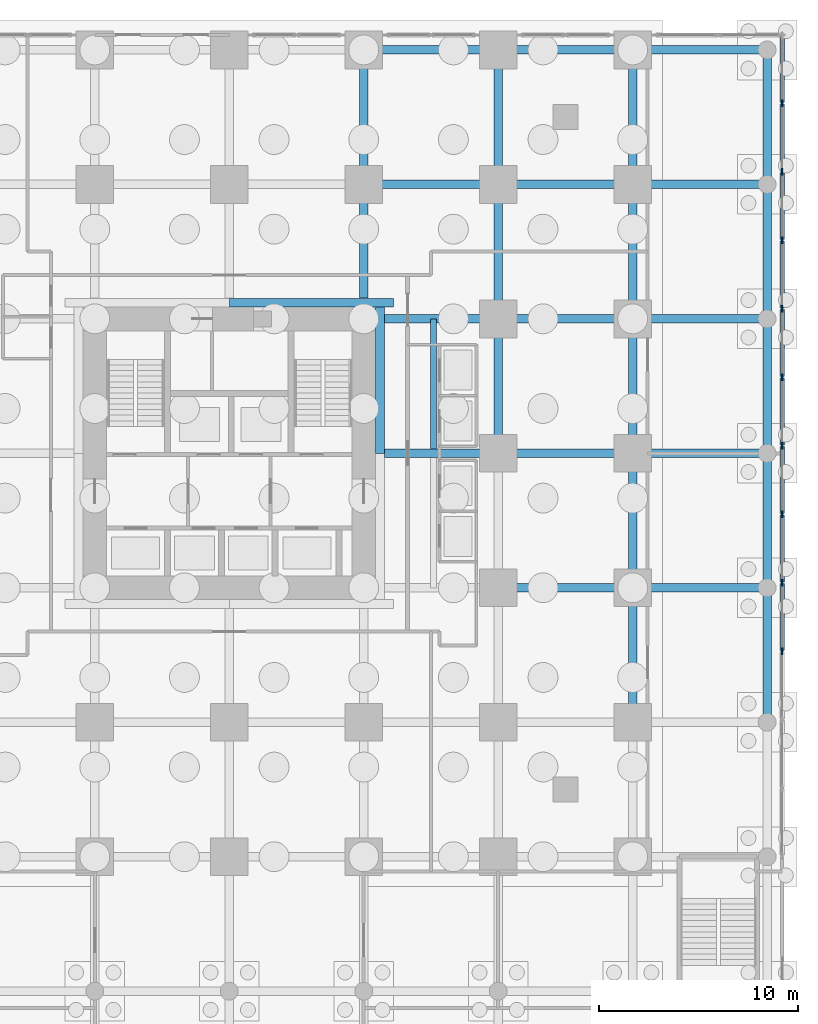
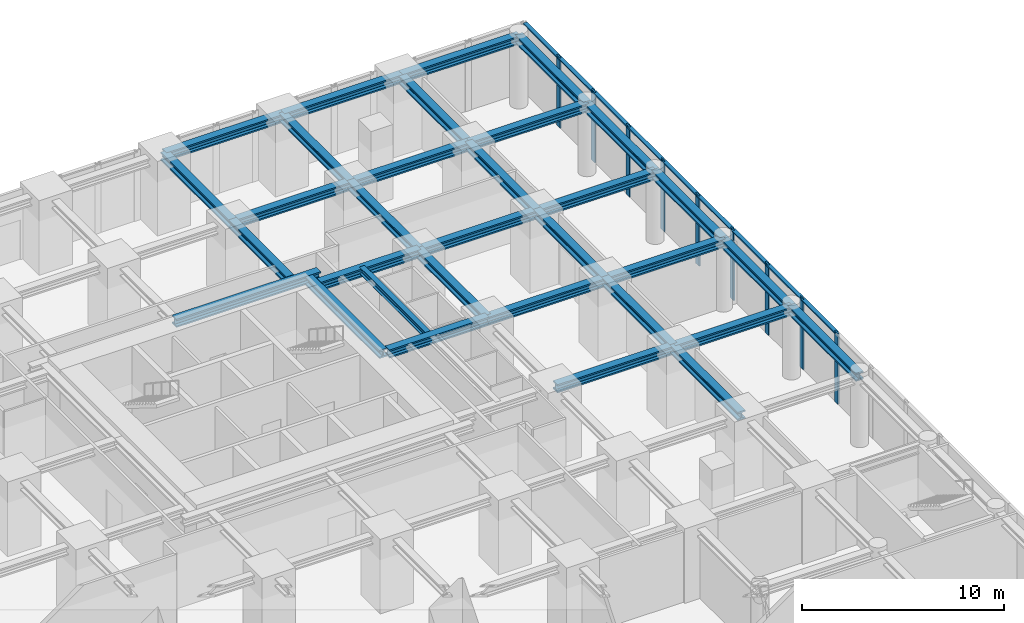
# One storey, part 6 of 14: 32 beams, 18 members, 1 element without a shape of its own.
"""IFC4 building model written with IfcOpenShell, lengths in metres."""

from ifc_helpers import new_model, si_unit, direction, frame, origin, origin_2d, place, context, subcontext, project, spatial, rectangle, i_section, extrude, material, material_profile, profile_set, type_object, element, aggregate, save


model = new_model("IFC4")

# Units and contexts
model_context = context("Model", 3, precision=1e-05, world=origin(), true_north=direction((0.0, 1.0)))
body_context = subcontext(model_context, "Body", "Model", "MODEL_VIEW")
ifc_project = project(units=[si_unit("LENGTHUNIT", "METRE"), si_unit("AREAUNIT", "SQUARE_METRE"), si_unit("VOLUMEUNIT", "CUBIC_METRE"), si_unit("PLANEANGLEUNIT", "RADIAN"), si_unit("MASSUNIT", "GRAM", prefix="KILO")], contexts=[model_context])

# Site, building, storey
site_placement = place(None, origin())
site = spatial("IfcSite", under=ifc_project, at=site_placement, CompositionType="ELEMENT")
building_placement = place(site_placement, origin())
building = spatial("IfcBuilding", under=site, at=building_placement, Name="Nyansa Garden Tower", CompositionType="ELEMENT")
storey_placement = place(building_placement, origin())
storey = spatial("IfcBuildingStorey", under=building, at=storey_placement, Name="L00", CompositionType="ELEMENT", Elevation=0.0)

# Curtain wall, members
ifc_material_1 = material(Name="Black anodised aluminium, clear double glazing", Category="aluminium")
curtain_wall_type = type_object("IfcCurtainWallType", Name="Podium curtain wall PCW", PredefinedType="USERDEFINED", material=ifc_material_1)
curtain_wall_placement = place(storey_placement, origin())
curtain_wall = element("IfcCurtainWall", 1, at=curtain_wall_placement, inside=storey, type_object=curtain_wall_type, Name="Podium curtain wall L00 E", ObjectType="STICK CURTAIN WALL", PredefinedType="USERDEFINED")
ifc_material_2 = material(Name="Black anodised aluminium", Category="aluminium")
ifc_material_profile_1 = material_profile(ifc_material_2, rectangle(XDim=0.080078125, YDim=0.35009765625, at=origin_2d()), Name="Mullion 350x80")
ifc_profile_set_1 = profile_set([ifc_material_profile_1], Name="Black anodised aluminium")
member_type_1 = type_object("IfcMemberType", Name="Mullion PCW 350x80", PredefinedType="MULLION", material=ifc_profile_set_1)
member_1_placement = place(storey_placement, frame((48.0, 10.3125, 0.0), z_axis=(0.0, 0.0, 1.0), x_axis=(-1.0, 0.0, 0.0)))
member_1 = element("IfcMember", 2, at=member_1_placement, type_object=member_type_1, Name="PCW mullion 4", PredefinedType="MULLION", context=body_context, shape_type="SweptSolid", body=[
    extrude(rectangle(XDim=0.080078125, YDim=0.35009765625, at=origin_2d()), origin(), (0.0, 0.0, 1.0), 4.25),
])
member_2_placement = place(storey_placement, frame((48.0, 13.75, 0.0), z_axis=(0.0, 0.0, 1.0), x_axis=(-1.0, 0.0, 0.0)))
member_2 = element("IfcMember", 3, at=member_2_placement, type_object=member_type_1, Name="PCW mullion 5", PredefinedType="MULLION", context=body_context, shape_type="SweptSolid", body=[
    extrude(rectangle(XDim=0.080078125, YDim=0.35009765625, at=origin_2d()), origin(), (0.0, 0.0, 1.0), 4.25),
])
member_3_placement = place(storey_placement, frame((48.0, 17.1875, 0.0), z_axis=(0.0, 0.0, 1.0), x_axis=(-1.0, 0.0, 0.0)))
member_3 = element("IfcMember", 4, at=member_3_placement, type_object=member_type_1, Name="PCW mullion 6", PredefinedType="MULLION", context=body_context, shape_type="SweptSolid", body=[
    extrude(rectangle(XDim=0.080078125, YDim=0.35009765625, at=origin_2d()), origin(), (0.0, 0.0, 1.0), 4.25),
])
member_4_placement = place(storey_placement, frame((48.0, 20.625, 0.0), z_axis=(0.0, 0.0, 1.0), x_axis=(-1.0, 0.0, 0.0)))
member_4 = element("IfcMember", 5, at=member_4_placement, type_object=member_type_1, Name="PCW mullion 7", PredefinedType="MULLION", context=body_context, shape_type="SweptSolid", body=[
    extrude(rectangle(XDim=0.080078125, YDim=0.35009765625, at=origin_2d()), origin(), (0.0, 0.0, 1.0), 4.25),
])
member_5_placement = place(storey_placement, frame((48.0, 24.0625, 0.0), z_axis=(0.0, 0.0, 1.0), x_axis=(-1.0, 0.0, 0.0)))
member_5 = element("IfcMember", 6, at=member_5_placement, type_object=member_type_1, Name="PCW mullion 8", PredefinedType="MULLION", context=body_context, shape_type="SweptSolid", body=[
    extrude(rectangle(XDim=0.080078125, YDim=0.35009765625, at=origin_2d()), origin(), (0.0, 0.0, 1.0), 4.25),
])
member_6_placement = place(storey_placement, frame((48.0, 27.5, 0.0), z_axis=(0.0, 0.0, 1.0), x_axis=(-1.0, 0.0, 0.0)))
member_6 = element("IfcMember", 7, at=member_6_placement, type_object=member_type_1, Name="PCW mullion 9", PredefinedType="MULLION", context=body_context, shape_type="SweptSolid", body=[
    extrude(rectangle(XDim=0.080078125, YDim=0.35009765625, at=origin_2d()), origin(), (0.0, 0.0, 1.0), 4.25),
])
member_7_placement = place(storey_placement, frame((48.0, 30.9375, 0.0), z_axis=(0.0, 0.0, 1.0), x_axis=(-1.0, 0.0, 0.0)))
member_7 = element("IfcMember", 8, at=member_7_placement, type_object=member_type_1, Name="PCW mullion 10", PredefinedType="MULLION", context=body_context, shape_type="SweptSolid", body=[
    extrude(rectangle(XDim=0.080078125, YDim=0.35009765625, at=origin_2d()), origin(), (0.0, 0.0, 1.0), 4.25),
])
member_8_placement = place(storey_placement, frame((48.0, 34.375, 0.0), z_axis=(0.0, 0.0, 1.0), x_axis=(-1.0, 0.0, 0.0)))
member_8 = element("IfcMember", 9, at=member_8_placement, type_object=member_type_1, Name="PCW mullion 11", PredefinedType="MULLION", context=body_context, shape_type="SweptSolid", body=[
    extrude(rectangle(XDim=0.080078125, YDim=0.35009765625, at=origin_2d()), origin(), (0.0, 0.0, 1.0), 4.25),
])
member_9_placement = place(storey_placement, frame((48.0, 37.8125, 0.0), z_axis=(0.0, 0.0, 1.0), x_axis=(-1.0, 0.0, 0.0)))
member_9 = element("IfcMember", 10, at=member_9_placement, type_object=member_type_1, Name="PCW mullion 12", PredefinedType="MULLION", context=body_context, shape_type="SweptSolid", body=[
    extrude(rectangle(XDim=0.080078125, YDim=0.35009765625, at=origin_2d()), origin(), (0.0, 0.0, 1.0), 4.25),
])

# Beams
ifc_material_3 = material(Name="Steel S355", Category="steel")
ifc_material_profile_2 = material_profile(ifc_material_3, i_section(OverallWidth=0.431884765625, OverallDepth=0.498046875, WebThickness=0.0556640625, FlangeThickness=0.0888671875, FilletRadius=0.014892578125, at=origin_2d()), Name="HD 400x744")
ifc_profile_set_2 = profile_set([ifc_material_profile_2], Name="Steel S355")
beam_type_1 = type_object("IfcBeamType", Name="Steel beam SBP1-744 HD 400x744", PredefinedType="BEAM", material=ifc_profile_set_2)
for number, where, z_axis, x_axis, name in (
    (11, (28.050048828125, 20.25, 4.0009765625), (1.0, 0.0, 0.0), (0.0, 1.0, 0.0), "Steel beam 28.050/G-7/G L01"),
    (12, (27.0, 28.050048828125, 4.0009765625), (0.0, 1.0, 0.0), (-1.0, 0.0, 0.0), "Steel beam 6/28.050-6/J L01"),
    (13, (28.050048828125, 27.0, 4.0009765625), (1.0, 0.0, 0.0), (0.0, 1.0, 0.0), "Steel beam 28.050/H-7/H L01"),
):
    element("IfcBeam", number, at=place(storey_placement, frame(where, z_axis=z_axis, x_axis=x_axis)), inside=storey, type_object=beam_type_1, Name=name, PredefinedType="BEAM", context=body_context, shape_type="SweptSolid", body=[
        extrude(i_section(OverallWidth=0.431884765625, OverallDepth=0.498046875, WebThickness=0.0556640625, FlangeThickness=0.0888671875, FilletRadius=0.014892578125, at=origin_2d()), origin(), (0.0, 0.0, 1.0), 5.699951171875),
    ])
for number, where, z_axis, x_axis, name in (
    (14, (27.0, 33.75, 4.0009765625), (0.0, 1.0, 0.0), (-1.0, 0.0, 0.0), "Steel beam 6/J-6/K L01"),
    (15, (27.0, 33.75, 4.0009765625), (1.0, 0.0, 0.0), (0.0, 1.0, 0.0), "Steel beam 6/J-7/J L01"),
    (16, (33.75, 13.5, 4.0009765625), (1.0, 0.0, 0.0), (0.0, 1.0, 0.0), "Steel beam 7/F-8/F L01"),
    (17, (33.75, 20.25, 4.0009765625), (0.0, 1.0, 0.0), (-1.0, 0.0, 0.0), "Steel beam 7/G-7/H L01"),
    (18, (33.75, 20.25, 4.0009765625), (1.0, 0.0, 0.0), (0.0, 1.0, 0.0), "Steel beam 7/G-8/G L01"),
    (19, (33.75, 27.0, 4.0009765625), (0.0, 1.0, 0.0), (-1.0, 0.0, 0.0), "Steel beam 7/H-7/J L01"),
    (20, (33.75, 27.0, 4.0009765625), (1.0, 0.0, 0.0), (0.0, 1.0, 0.0), "Steel beam 7/H-8/H L01"),
    (21, (33.75, 33.75, 4.0009765625), (0.0, 1.0, 0.0), (-1.0, 0.0, 0.0), "Steel beam 7/J-7/K L01"),
    (22, (33.75, 33.75, 4.0009765625), (1.0, 0.0, 0.0), (0.0, 1.0, 0.0), "Steel beam 7/J-8/J L01"),
    (23, (40.5, 6.75, 4.0009765625), (0.0, 1.0, 0.0), (-1.0, 0.0, 0.0), "Steel beam 8/E-8/F L01"),
    (24, (40.5, 13.5, 4.0009765625), (0.0, 1.0, 0.0), (-1.0, 0.0, 0.0), "Steel beam 8/F-8/G L01"),
    (25, (40.5, 13.5, 4.0009765625), (1.0, 0.0, 0.0), (0.0, 1.0, 0.0), "Steel beam 8/F-9/F L01"),
    (26, (40.5, 20.25, 4.0009765625), (0.0, 1.0, 0.0), (-1.0, 0.0, 0.0), "Steel beam 8/G-8/H L01"),
    (27, (40.5, 20.25, 4.0009765625), (1.0, 0.0, 0.0), (0.0, 1.0, 0.0), "Steel beam 8/G-9/G L01"),
    (28, (40.5, 27.0, 4.0009765625), (0.0, 1.0, 0.0), (-1.0, 0.0, 0.0), "Steel beam 8/H-8/J L01"),
    (29, (40.5, 27.0, 4.0009765625), (1.0, 0.0, 0.0), (0.0, 1.0, 0.0), "Steel beam 8/H-9/H L01"),
    (30, (40.5, 33.75, 4.0009765625), (0.0, 1.0, 0.0), (-1.0, 0.0, 0.0), "Steel beam 8/J-8/K L01"),
    (31, (40.5, 33.75, 4.0009765625), (1.0, 0.0, 0.0), (0.0, 1.0, 0.0), "Steel beam 8/J-9/J L01"),
):
    element("IfcBeam", number, at=place(storey_placement, frame(where, z_axis=z_axis, x_axis=x_axis)), inside=storey, type_object=beam_type_1, Name=name, PredefinedType="BEAM", context=body_context, shape_type="SweptSolid", body=[
        extrude(i_section(OverallWidth=0.431884765625, OverallDepth=0.498046875, WebThickness=0.0556640625, FlangeThickness=0.0888671875, FilletRadius=0.014892578125, at=origin_2d()), origin(), (0.0, 0.0, 1.0), 6.75),
    ])
ifc_material_4 = material(Name="Steel S355", Category="steel")
ifc_material_profile_3 = material_profile(ifc_material_4, i_section(OverallWidth=0.431884765625, OverallDepth=0.498046875, WebThickness=0.0556640625, FlangeThickness=0.0888671875, FilletRadius=0.014892578125, at=origin_2d()), Name="HD 400x744")
ifc_profile_set_3 = profile_set([ifc_material_profile_3], Name="Steel S355")
beam_type_2 = type_object("IfcBeamType", Name="Steel beam SEBP-744 HD 400x744", PredefinedType="BEAM", material=ifc_profile_set_3)
for number, where, z_axis, x_axis, name in (
    (32, (27.0, 40.5, 4.0009765625), (1.0, 0.0, 0.0), (0.0, 1.0, 0.0), "Steel edge beam 6/K-7/K L01"),
    (33, (33.75, 40.5, 4.0009765625), (1.0, 0.0, 0.0), (0.0, 1.0, 0.0), "Steel edge beam 7/K-8/K L01"),
    (34, (40.5, 40.5, 4.0009765625), (1.0, 0.0, 0.0), (0.0, 1.0, 0.0), "Steel edge beam 8/K-9/K L01"),
    (35, (47.25, 6.75, 4.0009765625), (0.0, 1.0, 0.0), (-1.0, 0.0, 0.0), "Steel edge beam 9/E-9/F L01"),
    (36, (47.25, 13.5, 4.0009765625), (0.0, 1.0, 0.0), (-1.0, 0.0, 0.0), "Steel edge beam 9/F-9/G L01"),
    (37, (47.25, 20.25, 4.0009765625), (0.0, 1.0, 0.0), (-1.0, 0.0, 0.0), "Steel edge beam 9/G-9/H L01"),
    (38, (47.25, 27.0, 4.0009765625), (0.0, 1.0, 0.0), (-1.0, 0.0, 0.0), "Steel edge beam 9/H-9/J L01"),
    (39, (47.25, 33.75, 4.0009765625), (0.0, 1.0, 0.0), (-1.0, 0.0, 0.0), "Steel edge beam 9/J-9/K L01"),
):
    element("IfcBeam", number, at=place(storey_placement, frame(where, z_axis=z_axis, x_axis=x_axis)), inside=storey, type_object=beam_type_2, Name=name, PredefinedType="BEAM", context=body_context, shape_type="SweptSolid", body=[
        extrude(i_section(OverallWidth=0.431884765625, OverallDepth=0.498046875, WebThickness=0.0556640625, FlangeThickness=0.0888671875, FilletRadius=0.014892578125, at=origin_2d()), origin(), (0.0, 0.0, 1.0), 6.75),
    ])
ifc_material_5 = material(Name="Steel S355", Category="steel")
ifc_material_profile_4 = material_profile(ifc_material_5, i_section(OverallWidth=0.431884765625, OverallDepth=0.498046875, WebThickness=0.0556640625, FlangeThickness=0.0888671875, FilletRadius=0.014892578125, at=origin_2d()), Name="HD 400x744")
ifc_profile_set_4 = profile_set([ifc_material_profile_4], Name="Steel S355")
beam_type_3 = type_object("IfcBeamType", Name="Steel beam SLB1-744 HD 400x744", PredefinedType="BEAM", material=ifc_profile_set_4)
beam_1_placement = place(storey_placement, frame((27.81591796875, 20.25, 4.0009765625), z_axis=(0.0, 1.0, 0.0), x_axis=(-1.0, 0.0, 0.0)))
element("IfcBeam", 40, at=beam_1_placement, inside=storey, type_object=beam_type_3, Name="Steel core ledger beam E.2 L01", PredefinedType="BEAM", context=body_context, shape_type="SweptSolid", body=[
    extrude(i_section(OverallWidth=0.431884765625, OverallDepth=0.498046875, WebThickness=0.0556640625, FlangeThickness=0.0888671875, FilletRadius=0.014892578125, at=origin_2d()), origin(), (0.0, 0.0, 1.0), 7.35009765625),
])
beam_2_placement = place(storey_placement, frame((28.5, 27.81591796875, 4.0009765625), z_axis=(-1.0, 0.0, 0.0), x_axis=(0.0, -1.0, 0.0)))
element("IfcBeam", 41, at=beam_2_placement, inside=storey, type_object=beam_type_3, Name="Steel core ledger beam N.1 L01", PredefinedType="BEAM", context=body_context, shape_type="SweptSolid", body=[
    extrude(i_section(OverallWidth=0.431884765625, OverallDepth=0.498046875, WebThickness=0.0556640625, FlangeThickness=0.0888671875, FilletRadius=0.014892578125, at=origin_2d()), origin(), (0.0, 0.0, 1.0), 8.25),
])

# Member
ifc_material_6 = material(Name="Black anodised aluminium", Category="aluminium")
ifc_material_profile_5 = material_profile(ifc_material_6, rectangle(XDim=0.219970703125, YDim=0.080078125, at=origin_2d()), Name="Transom 220x80")
ifc_profile_set_5 = profile_set([ifc_material_profile_5], Name="Black anodised aluminium")
member_type_2 = type_object("IfcMemberType", Name="Transom PCW 220x80", PredefinedType="USERDEFINED", material=ifc_profile_set_5)
member_10_placement = place(storey_placement, frame((48.0, 10.3525390625, 4.2099609375), z_axis=(0.0, 1.0, 0.0), x_axis=(-1.0, 0.0, 0.0)))
member_10 = element("IfcMember", 42, at=member_10_placement, type_object=member_type_2, Name="PCW transom 4", ObjectType="TRANSOM", PredefinedType="USERDEFINED", context=body_context, shape_type="SweptSolid", body=[
    extrude(rectangle(XDim=0.219970703125, YDim=0.080078125, at=origin_2d()), origin(), (0.0, 0.0, 1.0), 3.357421875),
])

member_11_placement = place(storey_placement, frame((48.0, 13.7900390625, 4.2099609375), z_axis=(0.0, 1.0, 0.0), x_axis=(-1.0, 0.0, 0.0)))
member_11 = element("IfcMember", 43, at=member_11_placement, type_object=member_type_2, Name="PCW transom 5", ObjectType="TRANSOM", PredefinedType="USERDEFINED", context=body_context, shape_type="SweptSolid", body=[
    extrude(rectangle(XDim=0.219970703125, YDim=0.080078125, at=origin_2d()), origin(), (0.0, 0.0, 1.0), 3.357421875),
])

member_12_placement = place(storey_placement, frame((48.0, 17.2275390625, 4.2099609375), z_axis=(0.0, 1.0, 0.0), x_axis=(-1.0, 0.0, 0.0)))
member_12 = element("IfcMember", 44, at=member_12_placement, type_object=member_type_2, Name="PCW transom 6", ObjectType="TRANSOM", PredefinedType="USERDEFINED", context=body_context, shape_type="SweptSolid", body=[
    extrude(rectangle(XDim=0.219970703125, YDim=0.080078125, at=origin_2d()), origin(), (0.0, 0.0, 1.0), 3.357421875),
])

member_13_placement = place(storey_placement, frame((48.0, 20.6650390625, 4.2099609375), z_axis=(0.0, 1.0, 0.0), x_axis=(-1.0, 0.0, 0.0)))
member_13 = element("IfcMember", 45, at=member_13_placement, type_object=member_type_2, Name="PCW transom 7", ObjectType="TRANSOM", PredefinedType="USERDEFINED", context=body_context, shape_type="SweptSolid", body=[
    extrude(rectangle(XDim=0.219970703125, YDim=0.080078125, at=origin_2d()), origin(), (0.0, 0.0, 1.0), 3.357421875),
])

member_14_placement = place(storey_placement, frame((48.0, 24.1025390625, 4.2099609375), z_axis=(0.0, 1.0, 0.0), x_axis=(-1.0, 0.0, 0.0)))
member_14 = element("IfcMember", 46, at=member_14_placement, type_object=member_type_2, Name="PCW transom 8", ObjectType="TRANSOM", PredefinedType="USERDEFINED", context=body_context, shape_type="SweptSolid", body=[
    extrude(rectangle(XDim=0.219970703125, YDim=0.080078125, at=origin_2d()), origin(), (0.0, 0.0, 1.0), 3.357421875),
])

member_15_placement = place(storey_placement, frame((48.0, 27.5400390625, 4.2099609375), z_axis=(0.0, 1.0, 0.0), x_axis=(-1.0, 0.0, 0.0)))
member_15 = element("IfcMember", 47, at=member_15_placement, type_object=member_type_2, Name="PCW transom 9", ObjectType="TRANSOM", PredefinedType="USERDEFINED", context=body_context, shape_type="SweptSolid", body=[
    extrude(rectangle(XDim=0.219970703125, YDim=0.080078125, at=origin_2d()), origin(), (0.0, 0.0, 1.0), 3.357421875),
])

member_16_placement = place(storey_placement, frame((48.0, 30.9775390625, 4.2099609375), z_axis=(0.0, 1.0, 0.0), x_axis=(-1.0, 0.0, 0.0)))
member_16 = element("IfcMember", 48, at=member_16_placement, type_object=member_type_2, Name="PCW transom 10", ObjectType="TRANSOM", PredefinedType="USERDEFINED", context=body_context, shape_type="SweptSolid", body=[
    extrude(rectangle(XDim=0.219970703125, YDim=0.080078125, at=origin_2d()), origin(), (0.0, 0.0, 1.0), 3.357421875),
])

member_17_placement = place(storey_placement, frame((48.0, 34.4150390625, 4.2099609375), z_axis=(0.0, 1.0, 0.0), x_axis=(-1.0, 0.0, 0.0)))
member_17 = element("IfcMember", 49, at=member_17_placement, type_object=member_type_2, Name="PCW transom 11", ObjectType="TRANSOM", PredefinedType="USERDEFINED", context=body_context, shape_type="SweptSolid", body=[
    extrude(rectangle(XDim=0.219970703125, YDim=0.080078125, at=origin_2d()), origin(), (0.0, 0.0, 1.0), 3.357421875),
])

member_18_placement = place(storey_placement, frame((48.0, 37.8525390625, 4.2099609375), z_axis=(0.0, 1.0, 0.0), x_axis=(-1.0, 0.0, 0.0)))
member_18 = element("IfcMember", 50, at=member_18_placement, type_object=member_type_2, Name="PCW transom 12", ObjectType="TRANSOM", PredefinedType="USERDEFINED", context=body_context, shape_type="SweptSolid", body=[
    extrude(rectangle(XDim=0.219970703125, YDim=0.080078125, at=origin_2d()), origin(), (0.0, 0.0, 1.0), 3.3173828125),
])

aggregate(curtain_wall, [member_1, member_2, member_3, member_4, member_5, member_6, member_7, member_8, member_9, member_10, member_11, member_12, member_13, member_14, member_15, member_16, member_17, member_18])

# Beam
ifc_material_7 = material(Name="Steel S355", Category="steel")
ifc_material_profile_6 = material_profile(ifc_material_7, i_section(OverallWidth=0.300048828125, OverallDepth=0.39990234375, WebThickness=0.013427734375, FlangeThickness=0.02392578125, FilletRadius=0.027099609375, at=origin_2d()), Name="HE 400 B")
ifc_profile_set_6 = profile_set([ifc_material_profile_6], Name="Steel S355")
beam_type_4 = type_object("IfcBeamType", Name="Trimmer beam TR1 HE 400 B", PredefinedType="BEAM", material=ifc_profile_set_6)
beam_3_placement = place(storey_placement, frame((30.5, 20.466064453125, 4.050048828125), z_axis=(0.0, 1.0, 0.0), x_axis=(-1.0, 0.0, 0.0)))
element("IfcBeam", 51, at=beam_3_placement, inside=storey, type_object=beam_type_4, Name="Trimmer beam 2 L01", PredefinedType="BEAM", context=body_context, shape_type="SweptSolid", body=[
    extrude(i_section(OverallWidth=0.300048828125, OverallDepth=0.39990234375, WebThickness=0.013427734375, FlangeThickness=0.02392578125, FilletRadius=0.027099609375, at=origin_2d()), origin(), (0.0, 0.0, 1.0), 6.533935546875),
])

save(model, "model.ifc")
